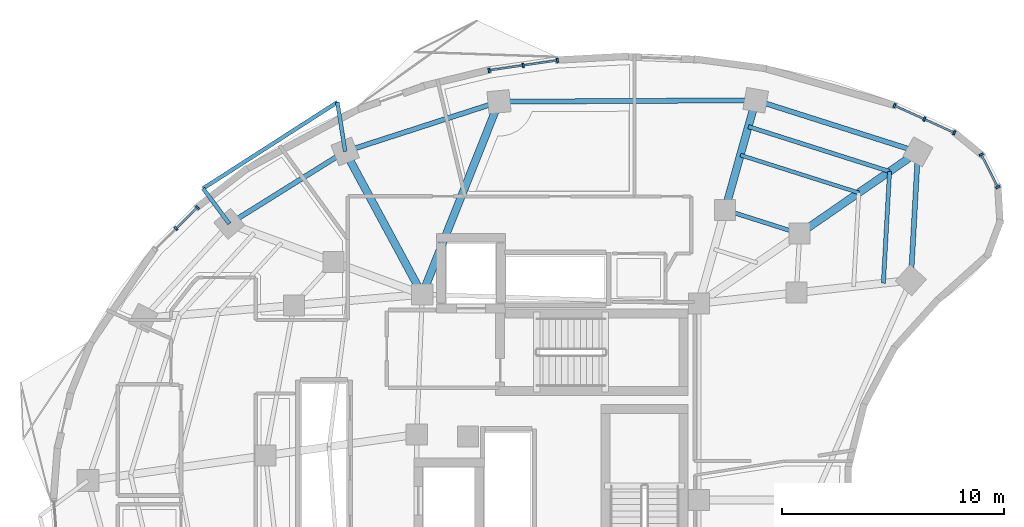
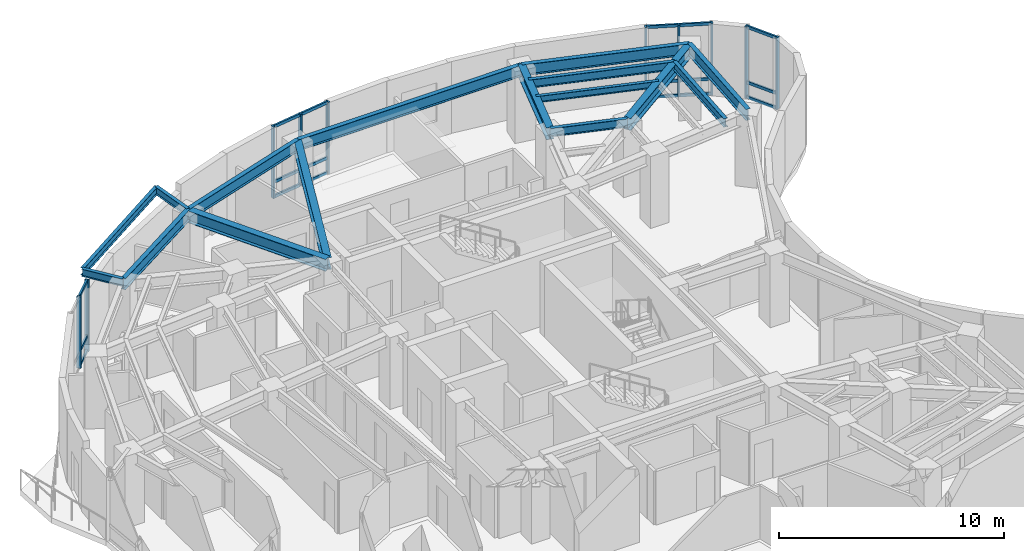
# One storey, part 5 of 13: 28 members, 16 beams, 4 elements without a shape of their own.
"""IFC4 building model written with IfcOpenShell, lengths in metres."""

from ifc_helpers import new_model, si_unit, direction, frame, origin, origin_2d, place, context, subcontext, project, spatial, rectangle, i_section, extrude, material, layer, layer_set, material_profile, profile_set, type_object, element, aggregate, save


model = new_model("IFC4")

# Units and contexts
model_context = context("Model", 3, precision=1e-05, world=origin(), true_north=direction((0.0, 1.0)))
body_context = subcontext(model_context, "Body", "Model", "MODEL_VIEW")
ifc_project = project(units=[si_unit("LENGTHUNIT", "METRE"), si_unit("AREAUNIT", "SQUARE_METRE"), si_unit("VOLUMEUNIT", "CUBIC_METRE"), si_unit("PLANEANGLEUNIT", "RADIAN"), si_unit("MASSUNIT", "GRAM", prefix="KILO")], contexts=[model_context])

# Site, building, storey
site_placement = place(None, origin())
site = spatial("IfcSite", under=ifc_project, at=site_placement, CompositionType="ELEMENT")
building_placement = place(site_placement, origin())
building = spatial("IfcBuilding", under=site, at=building_placement, Name="Korentha Bioscience Tower", CompositionType="ELEMENT")
storey_placement = place(building_placement, frame((0.0, 0.0, 204.60009765625)))
storey = spatial("IfcBuildingStorey", under=building, at=storey_placement, Name="L47", CompositionType="ELEMENT", Elevation=204.60009765625)

# Beam
ifc_material_1 = material(Name="Steel S355", Category="steel")
ifc_material_profile_1 = material_profile(ifc_material_1, i_section(OverallWidth=0.18994140625, OverallDepth=0.45703125, WebThickness=0.009033203125, FlangeThickness=0.014404296875, at=origin_2d()), Name="Steel S355")
ifc_profile_set_1 = profile_set([ifc_material_profile_1], Name="Steel S355 (MB-460)")
beam_type_1 = type_object("IfcBeamType", Name="Mid-Ring Tie Girder W460x74", PredefinedType="BEAM", material=ifc_profile_set_1)
beam_1_placement = place(storey_placement, frame((42.084228515625, 38.985595703125, 3.67138671875), z_axis=(-0.953017639844, 0.302914803446, 0.0), x_axis=(-0.302914803446, -0.953017639844, 0.0)))
element("IfcBeam", 1, at=beam_1_placement, inside=storey, type_object=beam_type_1, Name="L47 Mid-Ring Tie Girder 01", PredefinedType="BEAM", context=body_context, shape_type="SweptSolid", body=[
    extrude(i_section(OverallWidth=0.18994140625, OverallDepth=0.45703125, WebThickness=0.009033203125, FlangeThickness=0.014404296875, at=origin_2d()), origin(), (0.0, 0.0, 1.0), 3.523681640625),
])

# Curtain wall, members
ifc_material_2 = material(Name="Thermally Broken Aluminium Frame", Category="aluminium")
ifc_layer = layer(ifc_material_2, 0.219970703125, Name="Thermally Broken Aluminium Frame")
ifc_layer_set = layer_set([ifc_layer], Name="Thermally Broken Aluminium Frame (CW-T1)")
curtain_wall_type = type_object("IfcCurtainWallType", Name="Standard Bioscience Lab Unitised Curtain Wall CW-T1", PredefinedType="USERDEFINED", material=ifc_layer_set)
curtain_wall_1_placement = place(storey_placement, origin())
curtain_wall_1 = element("IfcCurtainWall", 2, at=curtain_wall_1_placement, inside=storey, type_object=curtain_wall_type, Name="L47 Curtain Wall 01", ObjectType="UNITISED", PredefinedType="USERDEFINED")
ifc_material_3 = material(Name="Anodised Aluminium 6063-T6", Category="aluminium")
ifc_material_profile_2 = material_profile(ifc_material_3, rectangle(XDim=0.090087890625, YDim=0.199951171875, at=origin_2d()), Name="Anodised Aluminium 6063-T6")
ifc_profile_set_2 = profile_set([ifc_material_profile_2], Name="Anodised Aluminium 6063-T6 (CW-MUL)")
member_type_1 = type_object("IfcMemberType", Name="Mullion RECT 90x200", PredefinedType="MULLION", material=ifc_profile_set_2)
member_1_placement = place(storey_placement, frame((49.044677734375, 43.52587890625, 0.0), z_axis=(0.0, 0.0, 1.0), x_axis=(-0.910520215031, 0.413464554733, 0.0)))
member_1 = element("IfcMember", 3, at=member_1_placement, type_object=member_type_1, Name="CW-L47-01 Mullion 1", PredefinedType="MULLION", context=body_context, shape_type="SweptSolid", body=[
    extrude(rectangle(XDim=0.090087890625, YDim=0.199951171875, at=origin_2d()), origin(), (0.0, 0.0, 1.0), 3.89990234375),
])
member_2_placement = place(storey_placement, frame((47.697021484375, 44.137939453125, 0.0), z_axis=(0.0, 0.0, 1.0), x_axis=(-0.910520215031, 0.413464554733, 0.0)))
member_2 = element("IfcMember", 4, at=member_2_placement, type_object=member_type_1, Name="CW-L47-01 Mullion 2", PredefinedType="MULLION", context=body_context, shape_type="SweptSolid", body=[
    extrude(rectangle(XDim=0.090087890625, YDim=0.199951171875, at=origin_2d()), origin(), (0.0, 0.0, 1.0), 3.89990234375),
])
member_3_placement = place(storey_placement, frame((46.34912109375, 44.75, 0.0), z_axis=(0.0, 0.0, 1.0), x_axis=(-0.910520215031, 0.413464554733, 0.0)))
member_3 = element("IfcMember", 5, at=member_3_placement, type_object=member_type_1, Name="CW-L47-01 Mullion 3", PredefinedType="MULLION", context=body_context, shape_type="SweptSolid", body=[
    extrude(rectangle(XDim=0.090087890625, YDim=0.199951171875, at=origin_2d()), origin(), (0.0, 0.0, 1.0), 3.89990234375),
])

curtain_wall_2_placement = place(storey_placement, origin())
curtain_wall_2 = element("IfcCurtainWall", 6, at=curtain_wall_2_placement, inside=storey, type_object=curtain_wall_type, Name="L47 Curtain Wall 07", ObjectType="UNITISED", PredefinedType="USERDEFINED")
member_4_placement = place(storey_placement, frame((31.18017578125, 46.78369140625, 0.0), z_axis=(0.0, 0.0, 1.0), x_axis=(-0.989449480287, -0.144878314317, 0.0)))
member_4 = element("IfcMember", 7, at=member_4_placement, type_object=member_type_1, Name="CW-L47-07 Mullion 1", PredefinedType="MULLION", context=body_context, shape_type="SweptSolid", body=[
    extrude(rectangle(XDim=0.090087890625, YDim=0.199951171875, at=origin_2d()), origin(), (0.0, 0.0, 1.0), 3.89990234375),
])
member_5_placement = place(storey_placement, frame((29.642333984375, 46.55859375, 0.0), z_axis=(0.0, 0.0, 1.0), x_axis=(-0.989449480287, -0.144878314317, 0.0)))
member_5 = element("IfcMember", 8, at=member_5_placement, type_object=member_type_1, Name="CW-L47-07 Mullion 2", PredefinedType="MULLION", context=body_context, shape_type="SweptSolid", body=[
    extrude(rectangle(XDim=0.090087890625, YDim=0.199951171875, at=origin_2d()), origin(), (0.0, 0.0, 1.0), 3.89990234375),
])
member_6_placement = place(storey_placement, frame((28.1044921875, 46.333251953125, 0.0), z_axis=(0.0, 0.0, 1.0), x_axis=(-0.989449480287, -0.144878314317, 0.0)))
member_6 = element("IfcMember", 9, at=member_6_placement, type_object=member_type_1, Name="CW-L47-07 Mullion 3", PredefinedType="MULLION", context=body_context, shape_type="SweptSolid", body=[
    extrude(rectangle(XDim=0.090087890625, YDim=0.199951171875, at=origin_2d()), origin(), (0.0, 0.0, 1.0), 3.89990234375),
])

curtain_wall_3_placement = place(storey_placement, origin())
curtain_wall_3 = element("IfcCurtainWall", 10, at=curtain_wall_3_placement, inside=storey, type_object=curtain_wall_type, Name="L47 Curtain Wall 13", ObjectType="UNITISED", PredefinedType="USERDEFINED")
member_7_placement = place(storey_placement, frame((14.9794921875, 40.162353515625, 0.0), z_axis=(0.0, 0.0, 1.0), x_axis=(-0.711177694756, -0.703012294688, 0.0)))
member_7 = element("IfcMember", 11, at=member_7_placement, type_object=member_type_1, Name="CW-L47-13 Mullion 1", PredefinedType="MULLION", context=body_context, shape_type="SweptSolid", body=[
    extrude(rectangle(XDim=0.090087890625, YDim=0.199951171875, at=origin_2d()), origin(), (0.0, 0.0, 1.0), 3.89990234375),
])
member_8_placement = place(storey_placement, frame((14.018798828125, 39.21240234375, 0.0), z_axis=(0.0, 0.0, 1.0), x_axis=(-0.711177694756, -0.703012294688, 0.0)))
member_8 = element("IfcMember", 12, at=member_8_placement, type_object=member_type_1, Name="CW-L47-13 Mullion 2", PredefinedType="MULLION", context=body_context, shape_type="SweptSolid", body=[
    extrude(rectangle(XDim=0.090087890625, YDim=0.199951171875, at=origin_2d()), origin(), (0.0, 0.0, 1.0), 3.89990234375),
])

curtain_wall_4_placement = place(storey_placement, origin())
curtain_wall_4 = element("IfcCurtainWall", 13, at=curtain_wall_4_placement, inside=storey, type_object=curtain_wall_type, Name="L47 Curtain Wall 61", ObjectType="UNITISED", PredefinedType="USERDEFINED")
member_9_placement = place(storey_placement, frame((51.003662109375, 41.07861328125, 0.0), z_axis=(0.0, 0.0, 1.0), x_axis=(-0.454115695623, 0.89094272262, 0.0)))
member_9 = element("IfcMember", 14, at=member_9_placement, type_object=member_type_1, Name="CW-L47-61 Mullion 1", PredefinedType="MULLION", context=body_context, shape_type="SweptSolid", body=[
    extrude(rectangle(XDim=0.090087890625, YDim=0.199951171875, at=origin_2d()), origin(), (0.0, 0.0, 1.0), 3.89990234375),
])
member_10_placement = place(storey_placement, frame((50.25634765625, 42.54443359375, 0.0), z_axis=(0.0, 0.0, 1.0), x_axis=(-0.454115695623, 0.89094272262, 0.0)))
member_10 = element("IfcMember", 15, at=member_10_placement, type_object=member_type_1, Name="CW-L47-61 Mullion 2", PredefinedType="MULLION", context=body_context, shape_type="SweptSolid", body=[
    extrude(rectangle(XDim=0.090087890625, YDim=0.199951171875, at=origin_2d()), origin(), (0.0, 0.0, 1.0), 3.89990234375),
])

# Beams
ifc_material_profile_3 = material_profile(ifc_material_1, i_section(OverallWidth=0.22802734375, OverallDepth=0.60791015625, WebThickness=0.01123046875, FlangeThickness=0.017333984375, at=origin_2d()), Name="Steel S355")
ifc_profile_set_3 = profile_set([ifc_material_profile_3], Name="Steel S355 (SB-610)")
beam_type_2 = type_object("IfcBeamType", Name="Perimeter Ring Spandrel Girder W610x113", PredefinedType="SPANDREL", material=ifc_profile_set_3)
beam_2_placement = place(storey_placement, frame((47.406982421875, 42.666259765625, 3.595947265625), z_axis=(-0.953001929023, 0.30296422772, 0.0), x_axis=(-0.30296422772, -0.953001929023, 0.0)))
element("IfcBeam", 16, at=beam_2_placement, inside=storey, type_object=beam_type_2, Name="L47 Perimeter Spandrel Girder 01", PredefinedType="SPANDREL", context=body_context, shape_type="SweptSolid", body=[
    extrude(i_section(OverallWidth=0.22802734375, OverallDepth=0.60791015625, WebThickness=0.01123046875, FlangeThickness=0.017333984375, at=origin_2d()), origin(), (0.0, 0.0, 1.0), 7.660400390625),
])
beam_3_placement = place(storey_placement, frame((40.106689453125, 44.987060546875, 3.595947265625), z_axis=(-0.999984906184, -0.005494306452, 0.0), x_axis=(0.005494306452, -0.999984906184, 0.0)))
element("IfcBeam", 17, at=beam_3_placement, inside=storey, type_object=beam_type_2, Name="L47 Perimeter Spandrel Girder 02", PredefinedType="SPANDREL", context=body_context, shape_type="SweptSolid", body=[
    extrude(i_section(OverallWidth=0.22802734375, OverallDepth=0.60791015625, WebThickness=0.01123046875, FlangeThickness=0.017333984375, at=origin_2d()), origin(), (0.0, 0.0, 1.0), 11.55322265625),
])
beam_4_placement = place(storey_placement, frame((28.5537109375, 44.923583984375, 3.595947265625), z_axis=(-0.951425150124, -0.307880145042, 0.0), x_axis=(0.307880145042, -0.951425150124, 0.0)))
element("IfcBeam", 18, at=beam_4_placement, inside=storey, type_object=beam_type_2, Name="L47 Perimeter Spandrel Girder 03", PredefinedType="SPANDREL", context=body_context, shape_type="SweptSolid", body=[
    extrude(i_section(OverallWidth=0.22802734375, OverallDepth=0.60791015625, WebThickness=0.01123046875, FlangeThickness=0.017333984375, at=origin_2d()), origin(), (0.0, 0.0, 1.0), 7.275634765625),
])
beam_5_placement = place(storey_placement, frame((21.631591796875, 42.68359375, 3.595947265625), z_axis=(-0.848274790748, -0.52955630426, 0.0), x_axis=(0.52955630426, -0.848274790748, 0.0)))
element("IfcBeam", 19, at=beam_5_placement, inside=storey, type_object=beam_type_2, Name="L47 Perimeter Spandrel Girder 04", PredefinedType="SPANDREL", context=body_context, shape_type="SweptSolid", body=[
    extrude(i_section(OverallWidth=0.22802734375, OverallDepth=0.60791015625, WebThickness=0.01123046875, FlangeThickness=0.017333984375, at=origin_2d()), origin(), (0.0, 0.0, 1.0), 6.148681640625),
])
beam_6_placement = place(storey_placement, frame((47.088134765625, 36.88916015625, 3.595947265625), z_axis=(0.055107780824, 0.998480411672, 0.0), x_axis=(-0.998480411672, 0.055107780824, 0.0)))
element("IfcBeam", 20, at=beam_6_placement, inside=storey, type_object=beam_type_2, Name="L47 Perimeter Spandrel Girder 16", PredefinedType="SPANDREL", context=body_context, shape_type="SweptSolid", body=[
    extrude(i_section(OverallWidth=0.22802734375, OverallDepth=0.60791015625, WebThickness=0.01123046875, FlangeThickness=0.017333984375, at=origin_2d()), origin(), (0.0, 0.0, 1.0), 5.785888671875),
])
ifc_material_profile_4 = material_profile(ifc_material_1, i_section(OverallWidth=0.18994140625, OverallDepth=0.45703125, WebThickness=0.009033203125, FlangeThickness=0.014404296875, at=origin_2d()), Name="Steel S355")
ifc_profile_set_4 = profile_set([ifc_material_profile_4], Name="Steel S355 (RB-460)")
beam_type_3 = type_object("IfcBeamType", Name="Radial Laboratory Beam W460x74", PredefinedType="BEAM", material=ifc_profile_set_4)
beam_7_placement = place(storey_placement, frame((46.12939453125, 41.782958984375, 3.67138671875), z_axis=(-0.953010382505, 0.302937635229, 0.0), x_axis=(-0.302937635229, -0.953010382505, 0.0)))
element("IfcBeam", 21, at=beam_7_placement, inside=storey, type_object=beam_type_3, Name="L47 Secondary Floor Beam JSTO-01", PredefinedType="BEAM", context=body_context, shape_type="SweptSolid", body=[
    extrude(i_section(OverallWidth=0.18994140625, OverallDepth=0.45703125, WebThickness=0.009033203125, FlangeThickness=0.014404296875, at=origin_2d()), origin(), (0.0, 0.0, 1.0), 6.667236328125),
])
beam_8_placement = place(storey_placement, frame((45.85205078125, 36.75439453125, 3.67138671875), z_axis=(0.055069967357, 0.998482497941, 0.0), x_axis=(-0.998482497941, 0.055069967357, 0.0)))
element("IfcBeam", 22, at=beam_8_placement, inside=storey, type_object=beam_type_3, Name="L47 Secondary Floor Beam JSTO-16", PredefinedType="BEAM", context=body_context, shape_type="SweptSolid", body=[
    extrude(i_section(OverallWidth=0.18994140625, OverallDepth=0.45703125, WebThickness=0.009033203125, FlangeThickness=0.014404296875, at=origin_2d()), origin(), (0.0, 0.0, 1.0), 5.0361328125),
])
ifc_material_profile_5 = material_profile(ifc_material_1, i_section(OverallWidth=0.35009765625, OverallDepth=0.64990234375, WebThickness=0.01611328125, FlangeThickness=0.02490234375, at=origin_2d()), Name="Steel S355")
ifc_profile_set_5 = profile_set([ifc_material_profile_5], Name="Steel S355 (RB-650)")
beam_type_4 = type_object("IfcBeamType", Name="Radial Laboratory Girder CVS 650x208", PredefinedType="BEAM", material=ifc_profile_set_5)
beam_9_placement = place(storey_placement, frame((42.084228515625, 38.985595703125, 3.574951171875), z_axis=(0.822504439948, 0.568758688958, 0.0), x_axis=(-0.568758688958, 0.822504439948, 0.0)))
element("IfcBeam", 23, at=beam_9_placement, inside=storey, type_object=beam_type_4, Name="L47 Outer Radial Girder 01", PredefinedType="BEAM", context=body_context, shape_type="SweptSolid", body=[
    extrude(i_section(OverallWidth=0.35009765625, OverallDepth=0.64990234375, WebThickness=0.01611328125, FlangeThickness=0.02490234375, at=origin_2d()), origin(), (0.0, 0.0, 1.0), 6.471435546875),
])
beam_10_placement = place(storey_placement, frame((38.72607421875, 40.052978515625, 3.574951171875), z_axis=(0.269462014476, 0.96301101902, 0.0), x_axis=(-0.96301101902, 0.269462014476, 0.0)))
element("IfcBeam", 24, at=beam_10_placement, inside=storey, type_object=beam_type_4, Name="L47 Outer Radial Girder 02", PredefinedType="BEAM", context=body_context, shape_type="SweptSolid", body=[
    extrude(i_section(OverallWidth=0.35009765625, OverallDepth=0.64990234375, WebThickness=0.01611328125, FlangeThickness=0.02490234375, at=origin_2d()), origin(), (0.0, 0.0, 1.0), 5.12353515625),
])
beam_11_placement = place(storey_placement, frame((25.10009765625, 36.25, 3.574951171875), z_axis=(0.369929378235, 0.929059877036, 0.0), x_axis=(-0.929059877036, 0.369929378235, 0.0)))
element("IfcBeam", 25, at=beam_11_placement, inside=storey, type_object=beam_type_4, Name="L47 Radial Girder 03", PredefinedType="BEAM", context=body_context, shape_type="SweptSolid", body=[
    extrude(i_section(OverallWidth=0.35009765625, OverallDepth=0.64990234375, WebThickness=0.01611328125, FlangeThickness=0.02490234375, at=origin_2d()), origin(), (0.0, 0.0, 1.0), 9.3359375),
])
beam_12_placement = place(storey_placement, frame((25.10009765625, 36.25, 3.574951171875), z_axis=(-0.47455192253, 0.880227511967, 0.0), x_axis=(-0.880227511967, -0.47455192253, 0.0)))
element("IfcBeam", 26, at=beam_12_placement, inside=storey, type_object=beam_type_4, Name="L47 Radial Girder 04", PredefinedType="BEAM", context=body_context, shape_type="SweptSolid", body=[
    extrude(i_section(OverallWidth=0.35009765625, OverallDepth=0.64990234375, WebThickness=0.01611328125, FlangeThickness=0.02490234375, at=origin_2d()), origin(), (0.0, 0.0, 1.0), 7.30908203125),
])
ifc_material_profile_6 = material_profile(ifc_material_1, i_section(OverallWidth=0.1708984375, OverallDepth=0.35498046875, WebThickness=0.007080078125, FlangeThickness=0.01171875, at=origin_2d()), Name="Steel S355")
ifc_profile_set_6 = profile_set([ifc_material_profile_6], Name="Steel S355 (JB-360)")
beam_type_5 = type_object("IfcBeamType", Name="Secondary Laboratory Joist W360x51", PredefinedType="JOIST", material=ifc_profile_set_6)
beam_13_placement = place(storey_placement, frame((44.74560546875, 40.825927734375, 3.722412109375), z_axis=(-0.953004875728, 0.302954958433, 0.0), x_axis=(-0.302954958433, -0.953004875728, 0.0)))
element("IfcBeam", 27, at=beam_13_placement, inside=storey, type_object=beam_type_5, Name="L47 Secondary Floor Beam JST-01", PredefinedType="JOIST", context=body_context, shape_type="SweptSolid", body=[
    extrude(i_section(OverallWidth=0.1708984375, OverallDepth=0.35498046875, WebThickness=0.007080078125, FlangeThickness=0.01171875, at=origin_2d()), origin(), (0.0, 0.0, 1.0), 5.591796875),
])
ifc_material_profile_7 = material_profile(ifc_material_1, i_section(OverallWidth=0.177978515625, OverallDepth=0.406982421875, WebThickness=0.0078125, FlangeThickness=0.0126953125, at=origin_2d()), Name="Steel S355")
ifc_profile_set_7 = profile_set([ifc_material_profile_7], Name="Steel S355 (CB-410)")
beam_type_6 = type_object("IfcBeamType", Name="Sun-Ledge Cantilever Beam W410x60", PredefinedType="BEAM", material=ifc_profile_set_7)
beam_14_placement = place(storey_placement, frame((21.631591796875, 42.68359375, 3.698486328125), z_axis=(-0.157986254578, 0.987441311352, 0.0), x_axis=(-0.987441311352, -0.157986254578, 0.0)))
element("IfcBeam", 28, at=beam_14_placement, inside=storey, type_object=beam_type_6, Name="L47 Balcony Cantilever Bracket A-L48-01", PredefinedType="BEAM", context=body_context, shape_type="SweptSolid", body=[
    extrude(i_section(OverallWidth=0.177978515625, OverallDepth=0.406982421875, WebThickness=0.0078125, FlangeThickness=0.0126953125, at=origin_2d()), origin(), (0.0, 0.0, 1.0), 2.2421875),
])
beam_15_placement = place(storey_placement, frame((16.415771484375, 39.427490234375, 3.698486328125), z_axis=(-0.595949495936, 0.803021916447, 0.0), x_axis=(-0.803021916447, -0.595949495936, 0.0)))
element("IfcBeam", 29, at=beam_15_placement, inside=storey, type_object=beam_type_6, Name="L47 Balcony Cantilever Bracket B-L48-01", PredefinedType="BEAM", context=body_context, shape_type="SweptSolid", body=[
    extrude(i_section(OverallWidth=0.177978515625, OverallDepth=0.406982421875, WebThickness=0.0078125, FlangeThickness=0.0126953125, at=origin_2d()), origin(), (0.0, 0.0, 1.0), 1.980712890625),
])
beam_16_placement = place(storey_placement, frame((21.27734375, 44.897705078125, 3.698486328125), z_axis=(-0.841463379992, -0.540314149485, 0.0), x_axis=(0.540314149485, -0.841463379992, 0.0)))
element("IfcBeam", 30, at=beam_16_placement, inside=storey, type_object=beam_type_6, Name="L47 Balcony Edge Trimmer Beam L48-01", PredefinedType="BEAM", context=body_context, shape_type="SweptSolid", body=[
    extrude(i_section(OverallWidth=0.177978515625, OverallDepth=0.406982421875, WebThickness=0.0078125, FlangeThickness=0.0126953125, at=origin_2d()), origin(), (0.0, 0.0, 1.0), 7.180419921875),
])

# Member
ifc_material_profile_8 = material_profile(ifc_material_3, rectangle(XDim=0.090087890625, YDim=0.159912109375, at=origin_2d()), Name="Anodised Aluminium 6063-T6")
ifc_profile_set_8 = profile_set([ifc_material_profile_8], Name="Anodised Aluminium 6063-T6 (CW-TRN)")
member_type_2 = type_object("IfcMemberType", Name="Transom RECT 90x160", PredefinedType="USERDEFINED", material=ifc_profile_set_8)
member_11_placement = place(storey_placement, frame((49.00390625, 43.544677734375, 0.044921875), z_axis=(-0.910582827317, 0.413326643946, 0.0), x_axis=(-0.413326643946, -0.910582827317, 0.0)))
member_11 = element("IfcMember", 31, at=member_11_placement, type_object=member_type_2, Name="CW-L47-01 Bay 1 Transom 1", ObjectType="TRANSOM", PredefinedType="USERDEFINED", context=body_context, shape_type="SweptSolid", body=[
    extrude(rectangle(XDim=0.090087890625, YDim=0.159912109375, at=origin_2d()), origin(), (0.0, 0.0, 1.0), 1.390380859375),
])

member_12_placement = place(storey_placement, frame((49.00390625, 43.544677734375, 0.849853515625), z_axis=(-0.910582827317, 0.413326643946, 0.0), x_axis=(-0.413326643946, -0.910582827317, 0.0)))
member_12 = element("IfcMember", 32, at=member_12_placement, type_object=member_type_2, Name="CW-L47-01 Bay 1 Transom 2", ObjectType="TRANSOM", PredefinedType="USERDEFINED", context=body_context, shape_type="SweptSolid", body=[
    extrude(rectangle(XDim=0.090087890625, YDim=0.159912109375, at=origin_2d()), origin(), (0.0, 0.0, 1.0), 1.390380859375),
])

member_13_placement = place(storey_placement, frame((49.00390625, 43.544677734375, 3.85498046875), z_axis=(-0.910582827317, 0.413326643946, 0.0), x_axis=(-0.413326643946, -0.910582827317, 0.0)))
member_13 = element("IfcMember", 33, at=member_13_placement, type_object=member_type_2, Name="CW-L47-01 Bay 1 Transom 3", ObjectType="TRANSOM", PredefinedType="USERDEFINED", context=body_context, shape_type="SweptSolid", body=[
    extrude(rectangle(XDim=0.090087890625, YDim=0.159912109375, at=origin_2d()), origin(), (0.0, 0.0, 1.0), 1.390380859375),
])

member_14_placement = place(storey_placement, frame((47.656005859375, 44.15673828125, 0.044921875), z_axis=(-0.910582827317, 0.413326643946, 0.0), x_axis=(-0.413326643946, -0.910582827317, 0.0)))
member_14 = element("IfcMember", 34, at=member_14_placement, type_object=member_type_2, Name="CW-L47-01 Bay 2 Transom 1", ObjectType="TRANSOM", PredefinedType="USERDEFINED", context=body_context, shape_type="SweptSolid", body=[
    extrude(rectangle(XDim=0.090087890625, YDim=0.159912109375, at=origin_2d()), origin(), (0.0, 0.0, 1.0), 1.390380859375),
])

member_15_placement = place(storey_placement, frame((47.656005859375, 44.15673828125, 0.849853515625), z_axis=(-0.910582827317, 0.413326643946, 0.0), x_axis=(-0.413326643946, -0.910582827317, 0.0)))
member_15 = element("IfcMember", 35, at=member_15_placement, type_object=member_type_2, Name="CW-L47-01 Bay 2 Transom 2", ObjectType="TRANSOM", PredefinedType="USERDEFINED", context=body_context, shape_type="SweptSolid", body=[
    extrude(rectangle(XDim=0.090087890625, YDim=0.159912109375, at=origin_2d()), origin(), (0.0, 0.0, 1.0), 1.390380859375),
])

member_16_placement = place(storey_placement, frame((47.656005859375, 44.15673828125, 3.85498046875), z_axis=(-0.910582827317, 0.413326643946, 0.0), x_axis=(-0.413326643946, -0.910582827317, 0.0)))
member_16 = element("IfcMember", 36, at=member_16_placement, type_object=member_type_2, Name="CW-L47-01 Bay 2 Transom 3", ObjectType="TRANSOM", PredefinedType="USERDEFINED", context=body_context, shape_type="SweptSolid", body=[
    extrude(rectangle(XDim=0.090087890625, YDim=0.159912109375, at=origin_2d()), origin(), (0.0, 0.0, 1.0), 1.390380859375),
])

aggregate(curtain_wall_1, [member_1, member_2, member_3, member_11, member_12, member_13, member_14, member_15, member_16])

member_17_placement = place(storey_placement, frame((31.135498046875, 46.777099609375, 0.044921875), z_axis=(-0.989446492274, -0.144898719546, 0.0), x_axis=(0.144898719546, -0.989446492274, 0.0)))
member_17 = element("IfcMember", 37, at=member_17_placement, type_object=member_type_2, Name="CW-L47-07 Bay 1 Transom 1", ObjectType="TRANSOM", PredefinedType="USERDEFINED", context=body_context, shape_type="SweptSolid", body=[
    extrude(rectangle(XDim=0.090087890625, YDim=0.159912109375, at=origin_2d()), origin(), (0.0, 0.0, 1.0), 1.464111328125),
])

member_18_placement = place(storey_placement, frame((31.135498046875, 46.777099609375, 0.849853515625), z_axis=(-0.989446492274, -0.144898719546, 0.0), x_axis=(0.144898719546, -0.989446492274, 0.0)))
member_18 = element("IfcMember", 38, at=member_18_placement, type_object=member_type_2, Name="CW-L47-07 Bay 1 Transom 2", ObjectType="TRANSOM", PredefinedType="USERDEFINED", context=body_context, shape_type="SweptSolid", body=[
    extrude(rectangle(XDim=0.090087890625, YDim=0.159912109375, at=origin_2d()), origin(), (0.0, 0.0, 1.0), 1.464111328125),
])

member_19_placement = place(storey_placement, frame((31.135498046875, 46.777099609375, 3.85498046875), z_axis=(-0.989446492274, -0.144898719546, 0.0), x_axis=(0.144898719546, -0.989446492274, 0.0)))
member_19 = element("IfcMember", 39, at=member_19_placement, type_object=member_type_2, Name="CW-L47-07 Bay 1 Transom 3", ObjectType="TRANSOM", PredefinedType="USERDEFINED", context=body_context, shape_type="SweptSolid", body=[
    extrude(rectangle(XDim=0.090087890625, YDim=0.159912109375, at=origin_2d()), origin(), (0.0, 0.0, 1.0), 1.464111328125),
])

member_20_placement = place(storey_placement, frame((29.597900390625, 46.552001953125, 0.044921875), z_axis=(-0.989449992261, -0.144874817738, 0.0), x_axis=(0.144874817738, -0.989449992261, 0.0)))
member_20 = element("IfcMember", 40, at=member_20_placement, type_object=member_type_2, Name="CW-L47-07 Bay 2 Transom 1", ObjectType="TRANSOM", PredefinedType="USERDEFINED", context=body_context, shape_type="SweptSolid", body=[
    extrude(rectangle(XDim=0.090087890625, YDim=0.159912109375, at=origin_2d()), origin(), (0.0, 0.0, 1.0), 1.46435546875),
])

member_21_placement = place(storey_placement, frame((29.597900390625, 46.552001953125, 0.849853515625), z_axis=(-0.989449992261, -0.144874817738, 0.0), x_axis=(0.144874817738, -0.989449992261, 0.0)))
member_21 = element("IfcMember", 41, at=member_21_placement, type_object=member_type_2, Name="CW-L47-07 Bay 2 Transom 2", ObjectType="TRANSOM", PredefinedType="USERDEFINED", context=body_context, shape_type="SweptSolid", body=[
    extrude(rectangle(XDim=0.090087890625, YDim=0.159912109375, at=origin_2d()), origin(), (0.0, 0.0, 1.0), 1.46435546875),
])

member_22_placement = place(storey_placement, frame((29.597900390625, 46.552001953125, 3.85498046875), z_axis=(-0.989449992261, -0.144874817738, 0.0), x_axis=(0.144874817738, -0.989449992261, 0.0)))
member_22 = element("IfcMember", 42, at=member_22_placement, type_object=member_type_2, Name="CW-L47-07 Bay 2 Transom 3", ObjectType="TRANSOM", PredefinedType="USERDEFINED", context=body_context, shape_type="SweptSolid", body=[
    extrude(rectangle(XDim=0.090087890625, YDim=0.159912109375, at=origin_2d()), origin(), (0.0, 0.0, 1.0), 1.46435546875),
])

aggregate(curtain_wall_2, [member_4, member_5, member_6, member_17, member_18, member_19, member_20, member_21, member_22])

member_23_placement = place(storey_placement, frame((14.947509765625, 40.130615234375, 0.044921875), z_axis=(-0.711064284939, -0.703127003239, 0.0), x_axis=(0.703127003239, -0.711064284939, 0.0)))
member_23 = element("IfcMember", 43, at=member_23_placement, type_object=member_type_2, Name="CW-L47-13 Bay 1 Transom 1", ObjectType="TRANSOM", PredefinedType="USERDEFINED", context=body_context, shape_type="SweptSolid", body=[
    extrude(rectangle(XDim=0.090087890625, YDim=0.159912109375, at=origin_2d()), origin(), (0.0, 0.0, 1.0), 1.260986328125),
])

member_24_placement = place(storey_placement, frame((14.947509765625, 40.130615234375, 0.849853515625), z_axis=(-0.711064284939, -0.703127003239, 0.0), x_axis=(0.703127003239, -0.711064284939, 0.0)))
member_24 = element("IfcMember", 44, at=member_24_placement, type_object=member_type_2, Name="CW-L47-13 Bay 1 Transom 2", ObjectType="TRANSOM", PredefinedType="USERDEFINED", context=body_context, shape_type="SweptSolid", body=[
    extrude(rectangle(XDim=0.090087890625, YDim=0.159912109375, at=origin_2d()), origin(), (0.0, 0.0, 1.0), 1.260986328125),
])

member_25_placement = place(storey_placement, frame((14.947509765625, 40.130615234375, 3.85498046875), z_axis=(-0.711064284939, -0.703127003239, 0.0), x_axis=(0.703127003239, -0.711064284939, 0.0)))
member_25 = element("IfcMember", 45, at=member_25_placement, type_object=member_type_2, Name="CW-L47-13 Bay 1 Transom 3", ObjectType="TRANSOM", PredefinedType="USERDEFINED", context=body_context, shape_type="SweptSolid", body=[
    extrude(rectangle(XDim=0.090087890625, YDim=0.159912109375, at=origin_2d()), origin(), (0.0, 0.0, 1.0), 1.260986328125),
])

aggregate(curtain_wall_3, [member_7, member_8, member_23, member_24, member_25])

member_26_placement = place(storey_placement, frame((50.983154296875, 41.11865234375, 0.044921875), z_axis=(-0.454106830318, 0.890947241232, 0.0), x_axis=(-0.890947241232, -0.454106830318, 0.0)))
member_26 = element("IfcMember", 46, at=member_26_placement, type_object=member_type_2, Name="CW-L47-61 Bay 1 Transom 1", ObjectType="TRANSOM", PredefinedType="USERDEFINED", context=body_context, shape_type="SweptSolid", body=[
    extrude(rectangle(XDim=0.090087890625, YDim=0.159912109375, at=origin_2d()), origin(), (0.0, 0.0, 1.0), 1.555419921875),
])

member_27_placement = place(storey_placement, frame((50.983154296875, 41.11865234375, 0.849853515625), z_axis=(-0.454106830318, 0.890947241232, 0.0), x_axis=(-0.890947241232, -0.454106830318, 0.0)))
member_27 = element("IfcMember", 47, at=member_27_placement, type_object=member_type_2, Name="CW-L47-61 Bay 1 Transom 2", ObjectType="TRANSOM", PredefinedType="USERDEFINED", context=body_context, shape_type="SweptSolid", body=[
    extrude(rectangle(XDim=0.090087890625, YDim=0.159912109375, at=origin_2d()), origin(), (0.0, 0.0, 1.0), 1.555419921875),
])

member_28_placement = place(storey_placement, frame((50.983154296875, 41.11865234375, 3.85498046875), z_axis=(-0.454106830318, 0.890947241232, 0.0), x_axis=(-0.890947241232, -0.454106830318, 0.0)))
member_28 = element("IfcMember", 48, at=member_28_placement, type_object=member_type_2, Name="CW-L47-61 Bay 1 Transom 3", ObjectType="TRANSOM", PredefinedType="USERDEFINED", context=body_context, shape_type="SweptSolid", body=[
    extrude(rectangle(XDim=0.090087890625, YDim=0.159912109375, at=origin_2d()), origin(), (0.0, 0.0, 1.0), 1.555419921875),
])

aggregate(curtain_wall_4, [member_9, member_10, member_26, member_27, member_28])

save(model, "model.ifc")
